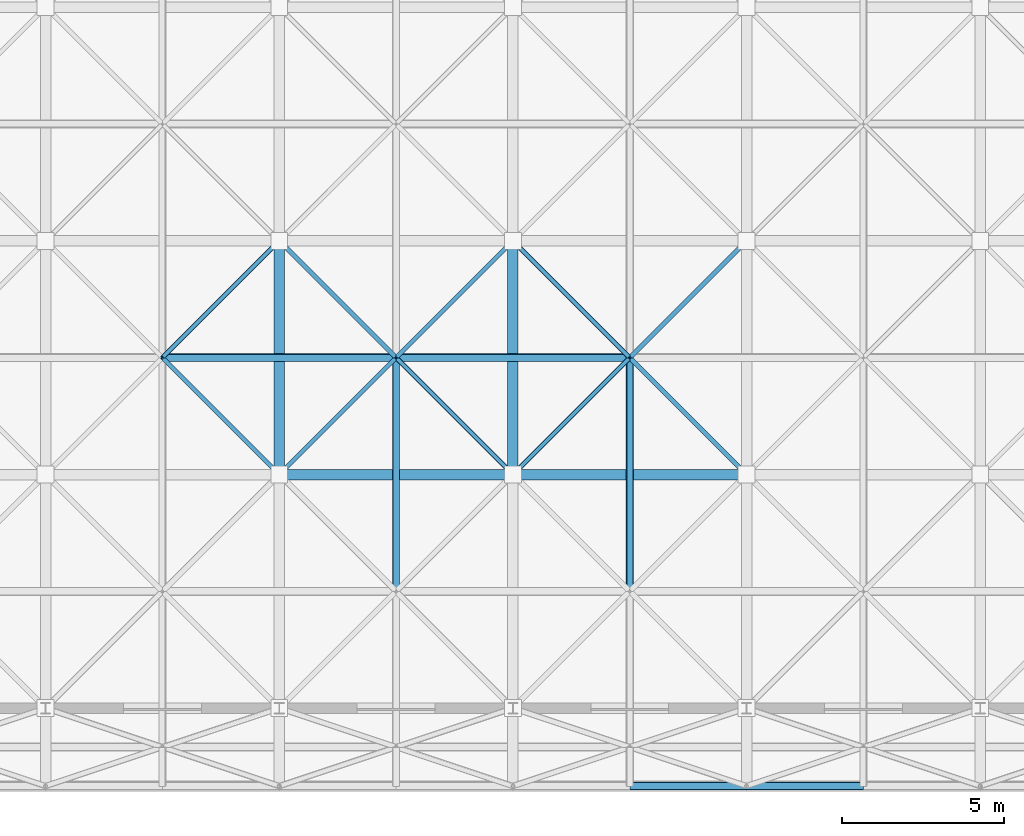
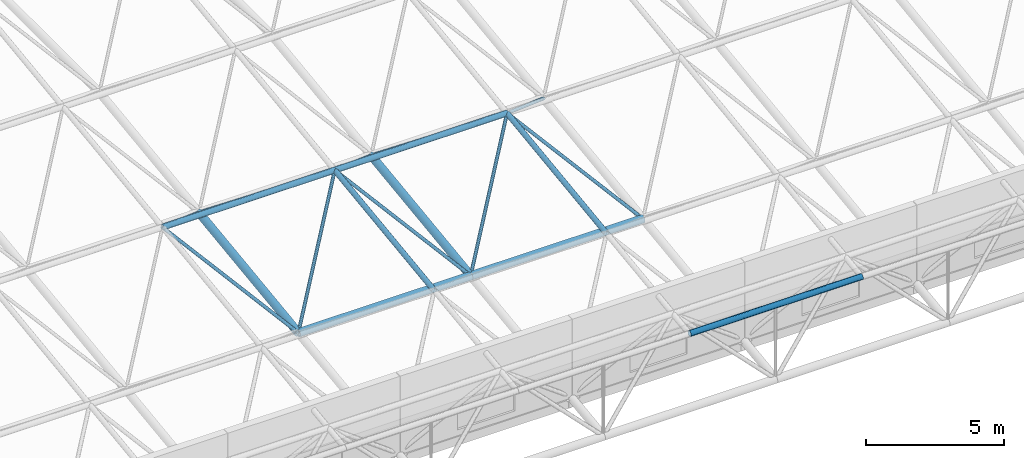
# One storey, part 47 of 103: 19 members.
"""IFC4 building model written with IfcOpenShell, lengths in metres."""

from ifc_helpers import new_model, si_unit, direction, frame, origin, origin_2d, place, context, subcontext, project, spatial, hollow_circle, extrude, material, material_profile, profile_set, type_object, element, save


model = new_model("IFC4")

# Units and contexts
model_context = context("Model", 3, precision=1e-05, world=origin(), true_north=direction((0.0, 1.0)))
body_context = subcontext(model_context, "Body", "Model", "MODEL_VIEW")
ifc_project = project(units=[si_unit("LENGTHUNIT", "METRE"), si_unit("AREAUNIT", "SQUARE_METRE"), si_unit("VOLUMEUNIT", "CUBIC_METRE"), si_unit("PLANEANGLEUNIT", "RADIAN"), si_unit("MASSUNIT", "GRAM", prefix="KILO")], contexts=[model_context])

# Site, building, storey
site_placement = place(None, origin())
site = spatial("IfcSite", under=ifc_project, at=site_placement, CompositionType="ELEMENT")
building_placement = place(site_placement, origin())
building = spatial("IfcBuilding", under=site, at=building_placement, Name="Thalmaran Polytechnic", CompositionType="ELEMENT")
storey_placement = place(building_placement, frame((0.0, 0.0, 14.39990234375)))
storey = spatial("IfcBuildingStorey", under=building, at=storey_placement, Name="L03", CompositionType="ELEMENT", Elevation=14.39990234375)

# Members
ifc_material = material(Name="Steel S355", Category="steel")
ifc_material_profile_1 = material_profile(ifc_material, hollow_circle(Radius=0.122314453125, WallThickness=0.010009765625, at=origin_2d()), Name="CHS 244.5x10.0")
ifc_profile_set_1 = profile_set([ifc_material_profile_1], Name="Steel S355")
member_type_1 = type_object("IfcMemberType", Name="MB-SFC1", PredefinedType="CHORD", material=ifc_profile_set_1)
for number, where, z_axis, x_axis, name in (
    (1, (126.0, 10.800048828125, 5.072021484375), (1.0, 0.0, 0.0), (0.0, 1.0, 0.0), "Space-Frame Top Chord X (3,3)"),
    (2, (133.199951171875, 10.800048828125, 5.072021484375), (1.0, 0.0, 0.0), (0.0, 1.0, 0.0), "Space-Frame Top Chord X (4,3)"),
):
    element("IfcMember", number, at=place(storey_placement, frame(where, z_axis=z_axis, x_axis=x_axis)), inside=storey, type_object=member_type_1, Name=name, PredefinedType="CHORD", context=body_context, shape_type="SweptSolid", body=[
        extrude(hollow_circle(Radius=0.122314453125, WallThickness=0.010009765625, at=origin_2d()), origin(), (0.0, 0.0, 1.0), 7.199951171875),
    ])
member_1_placement = place(storey_placement, frame((140.39990234375, -2.39990234375, 3.334228515625), z_axis=(1.0, 0.0, 0.0), x_axis=(0.0, 1.0, 0.0)))
element("IfcMember", 3, at=member_1_placement, inside=storey, type_object=member_type_1, Name="Space-Frame Top Chord X (5,0)", PredefinedType="CHORD", context=body_context, shape_type="SweptSolid", body=[
    extrude(hollow_circle(Radius=0.122314453125, WallThickness=0.010009765625, at=origin_2d()), origin(), (0.0, 0.0, 1.0), 7.2001953125),
])
ifc_material_profile_2 = material_profile(ifc_material, hollow_circle(Radius=0.109619140625, WallThickness=0.010009765625, at=origin_2d()), Name="CHS 219.1x10.0")
ifc_profile_set_2 = profile_set([ifc_material_profile_2], Name="Steel S355")
member_type_2 = type_object("IfcMemberType", Name="MB-SFC2", PredefinedType="CHORD", material=ifc_profile_set_2)
for number, where, z_axis, x_axis, name in (
    (4, (133.199951171875, 3.60009765625, 4.1240234375), (0.0, 0.991442963585, 0.130540606544), (-1.0, 0.0, 0.0), "Space-Frame Top Chord Y (4,2)"),
    (5, (140.39990234375, 3.60009765625, 4.1240234375), (0.0, 0.991442963585, 0.130540606544), (-1.0, 0.0, 0.0), "Space-Frame Top Chord Y (5,2)"),
):
    element("IfcMember", number, at=place(storey_placement, frame(where, z_axis=z_axis, x_axis=x_axis)), inside=storey, type_object=member_type_2, Name=name, PredefinedType="CHORD", context=body_context, shape_type="SweptSolid", body=[
        extrude(hollow_circle(Radius=0.109619140625, WallThickness=0.010009765625, at=origin_2d()), origin(), (0.0, 0.0, 1.0), 7.26220703125),
    ])
ifc_material_profile_3 = material_profile(ifc_material, hollow_circle(Radius=0.161865234375, WallThickness=0.012451171875, at=origin_2d()), Name="CHS 323.9x12.5")
ifc_profile_set_3 = profile_set([ifc_material_profile_3], Name="Steel S355")
member_type_3 = type_object("IfcMemberType", Name="MB-SFC4", PredefinedType="CHORD", material=ifc_profile_set_3)
member_2_placement = place(storey_placement, frame((129.60009765625, 7.199951171875, 1.327880859375), z_axis=(1.0, 0.0, 0.0), x_axis=(0.0, 1.0, 0.0)))
element("IfcMember", 6, at=member_2_placement, inside=storey, type_object=member_type_3, Name="Space-Frame Bottom Chord X (3,2)", PredefinedType="CHORD", context=body_context, shape_type="SweptSolid", body=[
    extrude(hollow_circle(Radius=0.161865234375, WallThickness=0.012451171875, at=origin_2d()), origin(), (0.0, 0.0, 1.0), 7.199951171875),
])
member_3_placement = place(storey_placement, frame((129.60009765625, 7.199951171875, 1.327880859375), z_axis=(0.0, 0.991442963585, 0.130540606544), x_axis=(-1.0, 0.0, 0.0)))
element("IfcMember", 7, at=member_3_placement, inside=storey, type_object=member_type_3, Name="Space-Frame Bottom Chord Y (3,2)", PredefinedType="CHORD", context=body_context, shape_type="SweptSolid", body=[
    extrude(hollow_circle(Radius=0.161865234375, WallThickness=0.012451171875, at=origin_2d()), origin(), (0.0, 0.0, 1.0), 7.26220703125),
])
member_4_placement = place(storey_placement, frame((136.800048828125, 7.199951171875, 1.327880859375), z_axis=(1.0, 0.0, 0.0), x_axis=(0.0, 1.0, 0.0)))
element("IfcMember", 8, at=member_4_placement, inside=storey, type_object=member_type_3, Name="Space-Frame Bottom Chord X (4,2)", PredefinedType="CHORD", context=body_context, shape_type="SweptSolid", body=[
    extrude(hollow_circle(Radius=0.161865234375, WallThickness=0.012451171875, at=origin_2d()), origin(), (0.0, 0.0, 1.0), 7.199951171875),
])
member_5_placement = place(storey_placement, frame((136.800048828125, 7.199951171875, 1.327880859375), z_axis=(0.0, 0.991442963585, 0.130540606544), x_axis=(-1.0, 0.0, 0.0)))
element("IfcMember", 9, at=member_5_placement, inside=storey, type_object=member_type_3, Name="Space-Frame Bottom Chord Y (4,2)", PredefinedType="CHORD", context=body_context, shape_type="SweptSolid", body=[
    extrude(hollow_circle(Radius=0.161865234375, WallThickness=0.012451171875, at=origin_2d()), origin(), (0.0, 0.0, 1.0), 7.26220703125),
])
ifc_material_profile_4 = material_profile(ifc_material, hollow_circle(Radius=0.06982421875, WallThickness=0.008056640625, at=origin_2d()), Name="CHS 139.7x8.0")
ifc_profile_set_4 = profile_set([ifc_material_profile_4], Name="Steel S355")
member_type_4 = type_object("IfcMemberType", Name="MB-SFD2", PredefinedType="BRACE", material=ifc_profile_set_4)
member_6_placement = place(storey_placement, frame((129.60009765625, 7.199951171875, 1.327880859375), z_axis=(-0.569652853186, 0.569652853186, 0.592445148275), x_axis=(-0.707106781187, -0.707106781187, 0.0)))
element("IfcMember", 10, at=member_6_placement, inside=storey, type_object=member_type_4, Name="Space-Frame Web Diagonal (2,2)-2", PredefinedType="BRACE", context=body_context, shape_type="SweptSolid", body=[
    extrude(hollow_circle(Radius=0.06982421875, WallThickness=0.008056640625, at=origin_2d()), origin(), (0.0, 0.0, 1.0), 6.31982421875),
])
member_7_placement = place(storey_placement, frame((129.60009765625, 14.39990234375, 2.27587890625), z_axis=(-0.619803774917, -0.619761742923, 0.481392420597), x_axis=(0.707082803744, -0.707130757816, 0.0)))
element("IfcMember", 11, at=member_7_placement, inside=storey, type_object=member_type_4, Name="Space-Frame Web Diagonal (2,2)-4", PredefinedType="BRACE", context=body_context, shape_type="SweptSolid", body=[
    extrude(hollow_circle(Radius=0.06982421875, WallThickness=0.008056640625, at=origin_2d()), origin(), (0.0, 0.0, 1.0), 5.808349609375),
])
member_8_placement = place(storey_placement, frame((129.60009765625, 7.199951171875, 1.327880859375), z_axis=(0.569626757247, 0.569665389106, 0.592458185768), x_axis=(-0.707130757816, 0.707082803744, 0.0)))
element("IfcMember", 12, at=member_8_placement, inside=storey, type_object=member_type_4, Name="Space-Frame Web Diagonal (3,2)-1", PredefinedType="BRACE", context=body_context, shape_type="SweptSolid", body=[
    extrude(hollow_circle(Radius=0.06982421875, WallThickness=0.008056640625, at=origin_2d()), origin(), (0.0, 0.0, 1.0), 6.319580078125),
])
member_9_placement = place(storey_placement, frame((136.800048828125, 7.199951171875, 1.327880859375), z_axis=(-0.569652853186, 0.569652853186, 0.592445148275), x_axis=(-0.707106781187, -0.707106781187, 0.0)))
element("IfcMember", 13, at=member_9_placement, inside=storey, type_object=member_type_4, Name="Space-Frame Web Diagonal (3,2)-2", PredefinedType="BRACE", context=body_context, shape_type="SweptSolid", body=[
    extrude(hollow_circle(Radius=0.06982421875, WallThickness=0.008056640625, at=origin_2d()), origin(), (0.0, 0.0, 1.0), 6.31982421875),
])
for number, where, z_axis, x_axis, name in (
    (14, (129.60009765625, 14.39990234375, 2.27587890625), (0.619777888784, -0.619777888784, 0.481404961699), (0.707106781187, 0.707106781187, 0.0), "Space-Frame Web Diagonal (3,2)-3"),
    (15, (136.800048828125, 14.39990234375, 2.27587890625), (-0.619803774917, -0.619761742923, 0.481392420597), (0.707082803744, -0.707130757816, 0.0), "Space-Frame Web Diagonal (3,2)-4"),
):
    element("IfcMember", number, at=place(storey_placement, frame(where, z_axis=z_axis, x_axis=x_axis)), inside=storey, type_object=member_type_4, Name=name, PredefinedType="BRACE", context=body_context, shape_type="SweptSolid", body=[
        extrude(hollow_circle(Radius=0.06982421875, WallThickness=0.008056640625, at=origin_2d()), origin(), (0.0, 0.0, 1.0), 5.808349609375),
    ])
member_10_placement = place(storey_placement, frame((136.800048828125, 7.199951171875, 1.327880859375), z_axis=(0.569626757247, 0.569665389106, 0.592458185768), x_axis=(-0.707130757816, 0.707082803744, 0.0)))
element("IfcMember", 16, at=member_10_placement, inside=storey, type_object=member_type_4, Name="Space-Frame Web Diagonal (4,2)-1", PredefinedType="BRACE", context=body_context, shape_type="SweptSolid", body=[
    extrude(hollow_circle(Radius=0.06982421875, WallThickness=0.008056640625, at=origin_2d()), origin(), (0.0, 0.0, 1.0), 6.319580078125),
])
member_11_placement = place(storey_placement, frame((144.0, 7.199951171875, 1.327880859375), z_axis=(-0.569652853186, 0.569652853186, 0.592445148275), x_axis=(-0.707106781187, -0.707106781187, 0.0)))
element("IfcMember", 17, at=member_11_placement, inside=storey, type_object=member_type_4, Name="Space-Frame Web Diagonal (4,2)-2", PredefinedType="BRACE", context=body_context, shape_type="SweptSolid", body=[
    extrude(hollow_circle(Radius=0.06982421875, WallThickness=0.008056640625, at=origin_2d()), origin(), (0.0, 0.0, 1.0), 6.31982421875),
])
for number, where, z_axis, x_axis, name in (
    (18, (136.800048828125, 14.39990234375, 2.27587890625), (0.619777888784, -0.619777888784, 0.481404961699), (0.707106781187, 0.707106781187, 0.0), "Space-Frame Web Diagonal (4,2)-3"),
    (19, (144.0, 14.39990234375, 2.27587890625), (-0.619803774917, -0.619761742923, 0.481392420597), (0.707082803744, -0.707130757816, 0.0), "Space-Frame Web Diagonal (4,2)-4"),
):
    element("IfcMember", number, at=place(storey_placement, frame(where, z_axis=z_axis, x_axis=x_axis)), inside=storey, type_object=member_type_4, Name=name, PredefinedType="BRACE", context=body_context, shape_type="SweptSolid", body=[
        extrude(hollow_circle(Radius=0.06982421875, WallThickness=0.008056640625, at=origin_2d()), origin(), (0.0, 0.0, 1.0), 5.808349609375),
    ])

save(model, "model.ifc")
